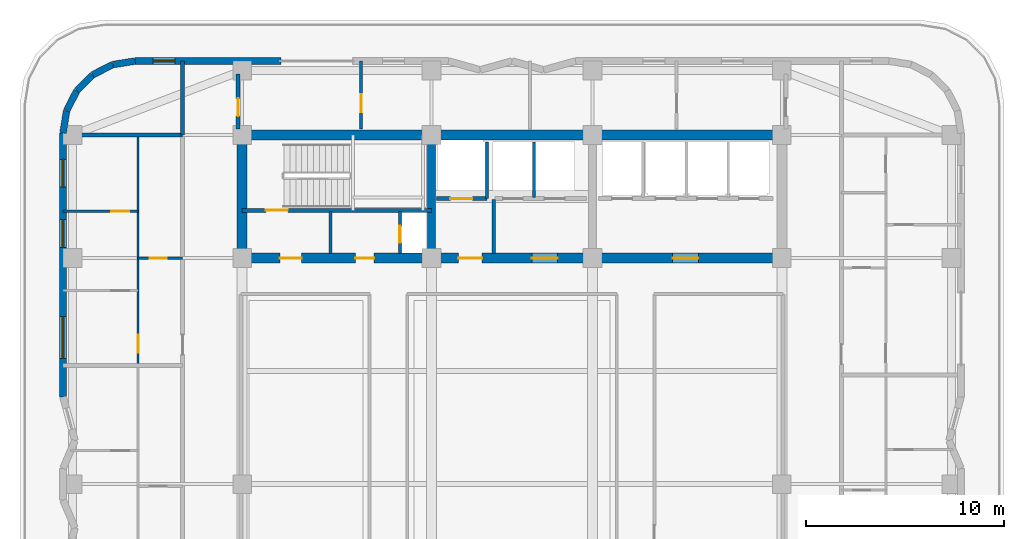
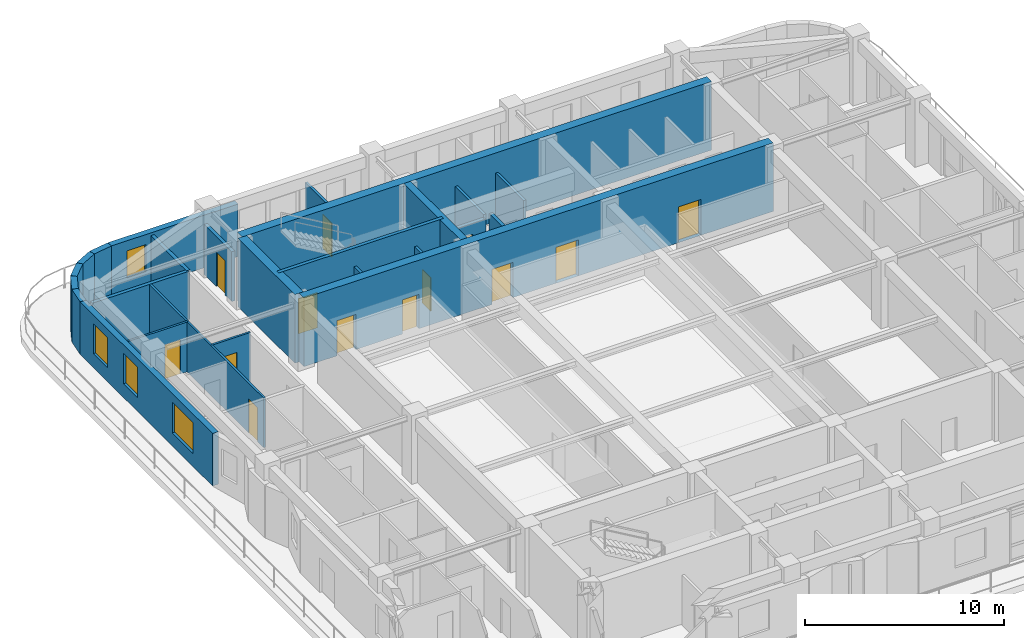
# One storey, part 9 of 14: 25 walls, 13 doors, 4 windows, 17 openings.
"""IFC4 building model written with IfcOpenShell, lengths in metres."""

from ifc_helpers import new_model, si_unit, direction, frame, frame_2d, origin, place, context, subcontext, project, spatial, rectangle, extrude, material, layer, layer_set, type_object, element, fill, save


model = new_model("IFC4")

# Units and contexts
model_context = context("Model", 3, precision=1e-05, world=origin(), true_north=direction((0.0, 1.0)))
body_context = subcontext(model_context, "Body", "Model", "MODEL_VIEW")
ifc_project = project(units=[si_unit("LENGTHUNIT", "METRE"), si_unit("AREAUNIT", "SQUARE_METRE"), si_unit("VOLUMEUNIT", "CUBIC_METRE"), si_unit("PLANEANGLEUNIT", "RADIAN"), si_unit("MASSUNIT", "GRAM", prefix="KILO")], contexts=[model_context])

# Site, building, storey
site_placement = place(None, origin())
site = spatial("IfcSite", under=ifc_project, at=site_placement, CompositionType="ELEMENT")
building_placement = place(site_placement, origin())
building = spatial("IfcBuilding", under=site, at=building_placement, Name="Svetorya Sky Lyceum", CompositionType="ELEMENT")
storey_placement = place(building_placement, frame((0.0, 0.0, 143.60009765625)))
storey = spatial("IfcBuildingStorey", under=building, at=storey_placement, Name="L35", CompositionType="ELEMENT", Elevation=143.60009765625)

# Walls
ifc_material_1 = material(Name="Concrete C40/50", Category="concrete")
ifc_layer_1 = layer(ifc_material_1, 0.39990234375)
ifc_layer_set_1 = layer_set([ifc_layer_1], Name="Concrete C40/50")
wall_type_1 = type_object("IfcWallType", Name="WL-CORE-400", PredefinedType="SHEAR", material=ifc_layer_set_1)
wall_1_placement = place(storey_placement, frame((35.14990234375, 39.85009765625, 0.0), z_axis=(0.0, 0.0, 1.0), x_axis=(0.0, 1.0, 0.0)))
element("IfcWall", 1, at=wall_1_placement, inside=storey, type_object=wall_type_1, Name="L35 NC Internal Shear Web WEB1", PredefinedType="SHEAR", context=body_context, shape_type="SweptSolid", body=[
    extrude(rectangle(XDim=5.699951171875, YDim=0.39990234375, at=frame_2d((2.85009765625, 0.0))), origin(), (0.0, 0.0, 1.0), 4.199951171875),
])
ifc_material_2 = material(Name="Concrete C50/60", Category="concrete")
ifc_layer_2 = layer(ifc_material_2, 0.5)
ifc_layer_set_2 = layer_set([ifc_layer_2], Name="Concrete C50/60")
wall_type_2 = type_object("IfcWallType", Name="WL-CORE-500", PredefinedType="SHEAR", material=ifc_layer_set_2)
wall_2_placement = place(storey_placement, frame((25.60009765625, 45.800048828125, 0.0), z_axis=(0.0, 0.0, 1.0), x_axis=(1.0, 0.0, 0.0)))
element("IfcWall", 2, at=wall_2_placement, inside=storey, type_object=wall_type_2, Name="L35 NC Outer Core Shear Wall", PredefinedType="SHEAR", context=body_context, shape_type="SweptSolid", body=[
    extrude(rectangle(XDim=27.199951171875, YDim=0.5, at=frame_2d((13.60009765625, 0.0))), origin(), (0.0, 0.0, 1.0), 4.199951171875),
])
wall_3_placement = place(storey_placement, frame((25.60009765625, 39.85009765625, 0.0), z_axis=(0.0, 0.0, 1.0), x_axis=(0.0, 1.0, 0.0)))
element("IfcWall", 3, at=wall_3_placement, inside=storey, type_object=wall_type_2, Name="L35 NC West Core Shear Wall", PredefinedType="SHEAR", context=body_context, shape_type="SweptSolid", body=[
    extrude(rectangle(XDim=5.699951171875, YDim=0.5, at=frame_2d((2.85009765625, 0.0))), origin(), (0.0, 0.0, 1.0), 4.199951171875),
])

# Wall, openings, doors
wall_4_placement = place(storey_placement, frame((52.800048828125, 39.60009765625, 0.0), z_axis=(0.0, 0.0, 1.0), x_axis=(-1.0, 0.0, 0.0)))
wall_4 = element("IfcWall", 4, at=wall_4_placement, inside=storey, type_object=wall_type_2, Name="L35 NC Inner Core Shear Wall", PredefinedType="SHEAR", context=body_context, shape_type="SweptSolid", body=[
    extrude(rectangle(XDim=27.199951171875, YDim=0.5, at=frame_2d((13.60009765625, 0.0))), origin(), (0.0, 0.0, 1.0), 4.199951171875),
])
opening_1_placement = place(wall_4_placement, frame((24.199951171875, 0.0, 0.0)))
opening_1 = element("IfcOpeningElement", 5, at=opening_1_placement, cuts=wall_4, Name="Opening D-ST1", PredefinedType="OPENING", context=body_context, shape_type="SweptSolid", body=[
    extrude(rectangle(XDim=1.10009765625, YDim=2.14990234375, at=frame_2d((0.550048828125, 1.074951171875))), frame((0.0, 0.260009765625, 0.0), z_axis=(0.0, -1.0, 0.0), x_axis=(1.0, 0.0, 0.0)), (0.0, 0.0, 1.0), 0.52001953125),
])
opening_2_placement = place(wall_4_placement, frame((20.550048828125, 0.0, 0.0)))
opening_2 = element("IfcOpeningElement", 6, at=opening_2_placement, cuts=wall_4, Name="Opening D-CAC1", PredefinedType="OPENING", context=body_context, shape_type="SweptSolid", body=[
    extrude(rectangle(XDim=0.949951171875, YDim=2.10009765625, at=frame_2d((0.47509765625, 1.050048828125))), frame((0.0, 0.260009765625, 0.0), z_axis=(0.0, -1.0, 0.0), x_axis=(1.0, 0.0, 0.0)), (0.0, 0.0, 1.0), 0.52001953125),
])
opening_3_placement = place(wall_4_placement, frame((15.10009765625, 0.0, 0.0)))
opening_3 = element("IfcOpeningElement", 7, at=opening_3_placement, cuts=wall_4, Name="Opening D-FL1", PredefinedType="OPENING", context=body_context, shape_type="SweptSolid", body=[
    extrude(rectangle(XDim=1.199951171875, YDim=2.14990234375, at=frame_2d((0.60009765625, 1.074951171875))), frame((0.0, 0.260009765625, 0.0), z_axis=(0.0, -1.0, 0.0), x_axis=(1.0, 0.0, 0.0)), (0.0, 0.0, 1.0), 0.52001953125),
])
opening_4_placement = place(wall_4_placement, frame((11.300048828125, 0.0, 0.0)))
opening_4 = element("IfcOpeningElement", 8, at=opening_4_placement, cuts=wall_4, Name="Opening D-LB1", PredefinedType="OPENING", context=body_context, shape_type="SweptSolid", body=[
    extrude(rectangle(XDim=1.300048828125, YDim=2.199951171875, at=frame_2d((0.64990234375, 1.10009765625))), frame((0.0, 0.260009765625, 0.0), z_axis=(0.0, -1.0, 0.0), x_axis=(1.0, 0.0, 0.0)), (0.0, 0.0, 1.0), 0.52001953125),
])
opening_5_placement = place(wall_4_placement, frame((4.199951171875, 0.0, 0.0)))
opening_5 = element("IfcOpeningElement", 9, at=opening_5_placement, cuts=wall_4, Name="Opening D-LB1", PredefinedType="OPENING", context=body_context, shape_type="SweptSolid", body=[
    extrude(rectangle(XDim=1.300048828125, YDim=2.199951171875, at=frame_2d((0.64990234375, 1.10009765625))), frame((0.0, 0.260009765625, 0.0), z_axis=(0.0, -1.0, 0.0), x_axis=(1.0, 0.0, 0.0)), (0.0, 0.0, 1.0), 0.52001953125),
])
ifc_material_3 = material(Name="Fire-rated galvanized steel core accessible WC door", Category="steel")
door_type_1 = type_object("IfcDoorType", Name="DR-CACC-950", OperationType="SINGLE_SWING_LEFT", PredefinedType="DOOR", material=ifc_material_3)
door_1_placement = place(opening_2_placement, origin())
door_1 = element("IfcDoor", 10, at=door_1_placement, inside=storey, type_object=door_type_1, Name="L35 North Core Accessible WC Door", OperationType="SINGLE_SWING_RIGHT", OverallHeight=2.10009765625, OverallWidth=0.949951171875, PredefinedType="DOOR", context=body_context, shape_type="SweptSolid", body=[
    extrude(rectangle(XDim=0.949951171875, YDim=2.10009765625, at=frame_2d((0.47509765625, 1.050048828125))), frame((0.0, 0.02490234375, 0.0), z_axis=(0.0, -1.0, 0.0), x_axis=(1.0, 0.0, 0.0)), (0.0, 0.0, 1.0), 0.050048828125),
])
fill(opening_2, door_1)
ifc_material_4 = material(Name="Powder-coated insulated galvanized stair fire door")
door_type_2 = type_object("IfcDoorType", Name="DR-FIRE-1100", OperationType="SINGLE_SWING_LEFT", PredefinedType="DOOR", material=ifc_material_4)
door_2_placement = place(opening_1_placement, origin())
door_2 = element("IfcDoor", 11, at=door_2_placement, inside=storey, type_object=door_type_2, Name="L35 North Stair Airlock Door", OperationType="SINGLE_SWING_LEFT", OverallHeight=2.14990234375, OverallWidth=1.10009765625, PredefinedType="DOOR", context=body_context, shape_type="SweptSolid", body=[
    extrude(rectangle(XDim=1.10009765625, YDim=2.14990234375, at=frame_2d((0.550048828125, 1.074951171875))), frame((0.0, 0.02490234375, 0.0), z_axis=(0.0, -1.0, 0.0), x_axis=(1.0, 0.0, 0.0)), (0.0, 0.0, 1.0), 0.050048828125),
])
fill(opening_1, door_2)
ifc_material_5 = material(Name="Powder-coated insulated galvanized fire door")
door_type_3 = type_object("IfcDoorType", Name="DR-FIRE-1200", OperationType="SINGLE_SWING_LEFT", PredefinedType="DOOR", material=ifc_material_5)
door_3_placement = place(opening_3_placement, origin())
door_3 = element("IfcDoor", 12, at=door_3_placement, inside=storey, type_object=door_type_3, Name="L35 North Firefighting Lift Lobby Door", OperationType="SINGLE_SWING_RIGHT", OverallHeight=2.14990234375, OverallWidth=1.199951171875, PredefinedType="DOOR", context=body_context, shape_type="SweptSolid", body=[
    extrude(rectangle(XDim=1.199951171875, YDim=2.14990234375, at=frame_2d((0.60009765625, 1.074951171875))), frame((0.0, 0.02490234375, 0.0), z_axis=(0.0, -1.0, 0.0), x_axis=(1.0, 0.0, 0.0)), (0.0, 0.0, 1.0), 0.050048828125),
])
fill(opening_3, door_3)
ifc_material_6 = material(Name="Glazed fire-rated aluminium lobby door", Category="aluminium")
door_type_4 = type_object("IfcDoorType", Name="DR-LOB-1300", OperationType="SINGLE_SWING_LEFT", PredefinedType="DOOR", material=ifc_material_6)
door_4_placement = place(opening_4_placement, origin())
door_4 = element("IfcDoor", 13, at=door_4_placement, inside=storey, type_object=door_type_4, Name="L35 Mid-Rise Lift Lobby West Door", OperationType="SINGLE_SWING_LEFT", OverallHeight=2.199951171875, OverallWidth=1.300048828125, PredefinedType="DOOR", context=body_context, shape_type="SweptSolid", body=[
    extrude(rectangle(XDim=1.300048828125, YDim=2.199951171875, at=frame_2d((0.64990234375, 1.10009765625))), frame((0.0, 0.02490234375, 0.0), z_axis=(0.0, -1.0, 0.0), x_axis=(1.0, 0.0, 0.0)), (0.0, 0.0, 1.0), 0.050048828125),
])
fill(opening_4, door_4)
door_5_placement = place(opening_5_placement, origin())
door_5 = element("IfcDoor", 14, at=door_5_placement, inside=storey, type_object=door_type_4, Name="L35 North Passenger Lift Lobby Door", OperationType="SINGLE_SWING_LEFT", OverallHeight=2.199951171875, OverallWidth=1.300048828125, PredefinedType="DOOR", context=body_context, shape_type="SweptSolid", body=[
    extrude(rectangle(XDim=1.300048828125, YDim=2.199951171875, at=frame_2d((0.64990234375, 1.10009765625))), frame((0.0, 0.02490234375, 0.0), z_axis=(0.0, -1.0, 0.0), x_axis=(1.0, 0.0, 0.0)), (0.0, 0.0, 1.0), 0.050048828125),
])
fill(opening_5, door_5)

# Wall, opening, window
ifc_material_7 = material(Name="Putilovo limestone rainscreen on autoclaved cellular masonry", Category="masonry")
ifc_layer_3 = layer(ifc_material_7, 0.340087890625)
ifc_layer_set_3 = layer_set([ifc_layer_3], Name="Putilovo limestone rainscreen on autoclaved cellular masonry")
wall_type_3 = type_object("IfcWallType", Name="WL-EXT-340", PredefinedType="SOLIDWALL", material=ifc_layer_set_3)
wall_5_placement = place(storey_placement, frame((27.550048828125, 49.530029296875, 0.0), z_axis=(0.0, 0.0, 1.0), x_axis=(-1.0, 0.0, 0.0)))
wall_5 = element("IfcWall", 15, at=wall_5_placement, inside=storey, type_object=wall_type_3, Name="L35 Limestone Exterior Wall 34B", PredefinedType="SOLIDWALL", context=body_context, shape_type="SweptSolid", body=[
    extrude(rectangle(XDim=7.35009765625, YDim=0.340087890625, at=frame_2d((3.675048828125, 0.0))), origin(), (0.0, 0.0, 1.0), 3.219970703125),
])
opening_6_placement = place(wall_5_placement, frame((5.33740234375, 0.0, 0.949951171875)))
opening_6 = element("IfcOpeningElement", 16, at=opening_6_placement, cuts=wall_5, Name="Opening W-R3", PredefinedType="OPENING", context=body_context, shape_type="SweptSolid", body=[
    extrude(rectangle(XDim=1.10009765625, YDim=1.64990234375, at=frame_2d((0.550048828125, 0.824951171875))), frame((0.0, 0.179931640625, 0.0), z_axis=(0.0, -1.0, 0.0), x_axis=(1.0, 0.0, 0.0)), (0.0, 0.0, 1.0), 0.360107421875),
])
ifc_material_8 = material(Name="Thermally broken aluminium frame with triple low-E glazing", Category="aluminium")
window_type_1 = type_object("IfcWindowType", Name="WN-RES-110", PartitioningType="SINGLE_PANEL", PredefinedType="WINDOW", material=ifc_material_8)
window_1_placement = place(opening_6_placement, origin())
window_1 = element("IfcWindow", 17, at=window_1_placement, inside=storey, type_object=window_type_1, Name="L35 Facade Window W-R3.34B.1", OverallHeight=1.64990234375, OverallWidth=1.10009765625, PartitioningType="SINGLE_PANEL", PredefinedType="WINDOW", context=body_context, shape_type="SweptSolid", body=[
    extrude(rectangle(XDim=1.10009765625, YDim=1.64990234375, at=frame_2d((0.550048828125, 0.824951171875))), frame((0.0, 0.030029296875, 0.0), z_axis=(0.0, -1.0, 0.0), x_axis=(1.0, 0.0, 0.0)), (0.0, 0.0, 1.0), 0.06005859375),
])
fill(opening_6, window_1)

# Walls
wall_6_placement = place(storey_placement, frame((20.199951171875, 49.530029296875, 0.0), z_axis=(0.0, 0.0, 1.0), x_axis=(-0.987675651954, -0.156514556949, 0.0)))
element("IfcWall", 18, at=wall_6_placement, inside=storey, type_object=wall_type_3, Name="L35 Limestone Exterior Wall 35M", PredefinedType="SOLIDWALL", context=body_context, shape_type="SweptSolid", body=[
    extrude(rectangle(XDim=1.135498046875, YDim=0.340087890625, at=frame_2d((0.56787109375, 0.0))), origin(), (0.0, 0.0, 1.0), 3.219970703125),
])
for number, where, z_axis, x_axis, name in (
    (19, (19.078369140625, 49.352294921875, 0.0), (0.0, 0.0, 1.0), (-0.891005044957, -0.453993402883, 0.0), "L35 Limestone Exterior Wall 36M"),
    (20, (18.06640625, 48.836669921875, 0.0), (0.0, 0.0, 1.0), (-0.707214252388, -0.706999293649, 0.0), "L35 Limestone Exterior Wall 37M"),
    (21, (17.26318359375, 48.03369140625, 0.0), (0.0, 0.0, 1.0), (-0.453822724105, -0.891091990249, 0.0), "L35 Limestone Exterior Wall 38M"),
    (22, (16.747802734375, 47.021728515625, 0.0), (0.0, 0.0, 1.0), (-0.156481329164, -0.987680916907, 0.0), "L35 Limestone Exterior Wall 39M"),
):
    element("IfcWall", number, at=place(storey_placement, frame(where, z_axis=z_axis, x_axis=x_axis)), inside=storey, type_object=wall_type_3, Name=name, PredefinedType="SOLIDWALL", context=body_context, shape_type="SweptSolid", body=[
        extrude(rectangle(XDim=1.1357421875, YDim=0.340087890625, at=frame_2d((0.56787109375, 0.0))), origin(), (0.0, 0.0, 1.0), 3.219970703125),
    ])

# Wall, openings, windows
wall_7_placement = place(storey_placement, frame((16.570068359375, 45.89990234375, 0.0), z_axis=(0.0, 0.0, 1.0), x_axis=(0.0, -1.0, 0.0)))
wall_7 = element("IfcWall", 23, at=wall_7_placement, inside=storey, type_object=wall_type_3, Name="L35 Limestone Exterior Wall 40M", PredefinedType="SOLIDWALL", context=body_context, shape_type="SweptSolid", body=[
    extrude(rectangle(XDim=13.2998046875, YDim=0.340087890625, at=frame_2d((6.64990234375, 0.0))), origin(), (0.0, 0.0, 1.0), 3.219970703125),
])
opening_7_placement = place(wall_7_placement, frame((1.320068359375, 0.0, 0.85009765625)))
opening_7 = element("IfcOpeningElement", 24, at=opening_7_placement, cuts=wall_7, Name="Opening W-R2", PredefinedType="OPENING", context=body_context, shape_type="SweptSolid", body=[
    extrude(rectangle(XDim=1.39990234375, YDim=1.85009765625, at=frame_2d((0.699951171875, 0.925048828125))), frame((0.0, 0.179931640625, 0.0), z_axis=(0.0, -1.0, 0.0), x_axis=(1.0, 0.0, 0.0)), (0.0, 0.0, 1.0), 0.360107421875),
])
opening_8_placement = place(wall_7_placement, frame((4.360107421875, 0.0, 0.85009765625)))
opening_8 = element("IfcOpeningElement", 25, at=opening_8_placement, cuts=wall_7, Name="Opening W-R2", PredefinedType="OPENING", context=body_context, shape_type="SweptSolid", body=[
    extrude(rectangle(XDim=1.39990234375, YDim=1.85009765625, at=frame_2d((0.699951171875, 0.925048828125))), frame((0.0, 0.179931640625, 0.0), z_axis=(0.0, -1.0, 0.0), x_axis=(1.0, 0.0, 0.0)), (0.0, 0.0, 1.0), 0.360107421875),
])
opening_9_placement = place(wall_7_placement, frame((9.25, 0.0, 0.800048828125)))
opening_9 = element("IfcOpeningElement", 26, at=opening_9_placement, cuts=wall_7, Name="Opening W-R0", PredefinedType="OPENING", context=body_context, shape_type="SweptSolid", body=[
    extrude(rectangle(XDim=2.10009765625, YDim=1.89990234375, at=frame_2d((1.050048828125, 0.949951171875))), frame((0.0, 0.179931640625, 0.0), z_axis=(0.0, -1.0, 0.0), x_axis=(1.0, 0.0, 0.0)), (0.0, 0.0, 1.0), 0.360107421875),
])
window_type_2 = type_object("IfcWindowType", Name="WN-RES-140", PartitioningType="SINGLE_PANEL", PredefinedType="WINDOW", material=ifc_material_8)
window_2_placement = place(opening_7_placement, origin())
window_2 = element("IfcWindow", 27, at=window_2_placement, inside=storey, type_object=window_type_2, Name="L35 Facade Window W-R2.40M.3", OverallHeight=1.85009765625, OverallWidth=1.39990234375, PartitioningType="SINGLE_PANEL", PredefinedType="WINDOW", context=body_context, shape_type="SweptSolid", body=[
    extrude(rectangle(XDim=1.39990234375, YDim=1.85009765625, at=frame_2d((0.699951171875, 0.925048828125))), frame((0.0, 0.030029296875, 0.0), z_axis=(0.0, -1.0, 0.0), x_axis=(1.0, 0.0, 0.0)), (0.0, 0.0, 1.0), 0.06005859375),
])
fill(opening_7, window_2)
window_3_placement = place(opening_8_placement, origin())
window_3 = element("IfcWindow", 28, at=window_3_placement, inside=storey, type_object=window_type_2, Name="L35 Facade Window W-R2.40M.2", OverallHeight=1.85009765625, OverallWidth=1.39990234375, PartitioningType="SINGLE_PANEL", PredefinedType="WINDOW", context=body_context, shape_type="SweptSolid", body=[
    extrude(rectangle(XDim=1.39990234375, YDim=1.85009765625, at=frame_2d((0.699951171875, 0.925048828125))), frame((0.0, 0.030029296875, 0.0), z_axis=(0.0, -1.0, 0.0), x_axis=(1.0, 0.0, 0.0)), (0.0, 0.0, 1.0), 0.06005859375),
])
fill(opening_8, window_3)
window_type_3 = type_object("IfcWindowType", Name="WN-RES-210", PartitioningType="TRIPLE_PANEL_VERTICAL", PredefinedType="WINDOW", material=ifc_material_8)
window_4_placement = place(opening_9_placement, origin())
window_4 = element("IfcWindow", 29, at=window_4_placement, inside=storey, type_object=window_type_3, Name="L35 Facade Window W-R0.40M.1", OverallHeight=1.89990234375, OverallWidth=2.10009765625, PartitioningType="SINGLE_PANEL", PredefinedType="WINDOW", context=body_context, shape_type="SweptSolid", body=[
    extrude(rectangle(XDim=2.10009765625, YDim=1.89990234375, at=frame_2d((1.050048828125, 0.949951171875))), frame((0.0, 0.030029296875, 0.0), z_axis=(0.0, -1.0, 0.0), x_axis=(1.0, 0.0, 0.0)), (0.0, 0.0, 1.0), 0.06005859375),
])
fill(opening_9, window_4)

# Wall, opening, door
ifc_material_9 = material(Name="Twin-stud galvanized framing with double fireboard", Category="gypsum")
ifc_layer_4 = layer(ifc_material_9, 0.1201171875)
ifc_layer_set_4 = layer_set([ifc_layer_4], Name="Twin-stud galvanized framing with double fireboard")
wall_type_4 = type_object("IfcWallType", Name="WL-PART-120", PredefinedType="PARTITIONING", material=ifc_layer_set_4)
wall_8_placement = place(storey_placement, frame((20.35009765625, 39.583984375, 0.0), z_axis=(0.0, 0.0, 1.0), x_axis=(1.0, 0.0, 0.0)))
wall_8 = element("IfcWall", 30, at=wall_8_placement, inside=storey, type_object=wall_type_4, Name="L35 Interior Partition W3-WH1", PredefinedType="PARTITIONING", context=body_context, shape_type="SweptSolid", body=[
    extrude(rectangle(XDim=2.25, YDim=0.1201171875, at=frame_2d((1.125, 0.0))), origin(), (0.0, 0.0, 1.0), 3.0498046875),
])
opening_10_placement = place(wall_8_placement, frame((0.60009765625, 0.0, 0.0)))
opening_10 = element("IfcOpeningElement", 31, at=opening_10_placement, cuts=wall_8, Name="Opening D-BT1", PredefinedType="OPENING", context=body_context, shape_type="SweptSolid", body=[
    extrude(rectangle(XDim=0.85009765625, YDim=2.10009765625, at=frame_2d((0.425048828125, 1.050048828125))), frame((0.0, 0.070068359375, 0.0), z_axis=(0.0, -1.0, 0.0), x_axis=(1.0, 0.0, 0.0)), (0.0, 0.0, 1.0), 0.14013671875),
])
ifc_material_10 = material(Name="Moisture-resistant laminate bathroom door")
door_type_5 = type_object("IfcDoorType", Name="DR-WET-850", OperationType="SINGLE_SWING_LEFT", PredefinedType="DOOR", material=ifc_material_10)
door_6_placement = place(opening_10_placement, origin())
door_6 = element("IfcDoor", 32, at=door_6_placement, inside=storey, type_object=door_type_5, Name="Apartment W3 Bathroom Door", OperationType="SINGLE_SWING_LEFT", OverallHeight=2.10009765625, OverallWidth=0.85009765625, PredefinedType="DOOR", context=body_context, shape_type="SweptSolid", body=[
    extrude(rectangle(XDim=0.85009765625, YDim=2.10009765625, at=frame_2d((0.425048828125, 1.050048828125))), frame((0.0, 0.02490234375, 0.0), z_axis=(0.0, -1.0, 0.0), x_axis=(1.0, 0.0, 0.0)), (0.0, 0.0, 1.0), 0.050048828125),
])
fill(opening_10, door_6)

wall_9_placement = place(storey_placement, frame((16.570068359375, 41.964111328125, 0.0), z_axis=(0.0, 0.0, 1.0), x_axis=(1.0, 0.0, 0.0)))
wall_9 = element("IfcWall", 33, at=wall_9_placement, inside=storey, type_object=wall_type_4, Name="L35 Interior Partition W3-WL2", PredefinedType="PARTITIONING", context=body_context, shape_type="SweptSolid", body=[
    extrude(rectangle(XDim=3.780029296875, YDim=0.1201171875, at=frame_2d((1.89013671875, 0.0))), origin(), (0.0, 0.0, 1.0), 3.0498046875),
])
opening_11_placement = place(wall_9_placement, frame((2.429931640625, 0.0, 0.0)))
opening_11 = element("IfcOpeningElement", 34, at=opening_11_placement, cuts=wall_9, Name="Opening D-RM1", PredefinedType="OPENING", context=body_context, shape_type="SweptSolid", body=[
    extrude(rectangle(XDim=0.89990234375, YDim=2.10009765625, at=frame_2d((0.449951171875, 1.050048828125))), frame((0.0, 0.070068359375, 0.0), z_axis=(0.0, -1.0, 0.0), x_axis=(1.0, 0.0, 0.0)), (0.0, 0.0, 1.0), 0.14013671875),
])
ifc_material_11 = material(Name="Lacquered birch veneer internal door")
door_type_6 = type_object("IfcDoorType", Name="DR-INT-900", OperationType="SINGLE_SWING_LEFT", PredefinedType="DOOR", material=ifc_material_11)
door_7_placement = place(opening_11_placement, origin())
door_7 = element("IfcDoor", 35, at=door_7_placement, inside=storey, type_object=door_type_6, Name="Apartment W3 Bedroom 2 Door", OperationType="SINGLE_SWING_RIGHT", OverallHeight=2.10009765625, OverallWidth=0.89990234375, PredefinedType="DOOR", context=body_context, shape_type="SweptSolid", body=[
    extrude(rectangle(XDim=0.89990234375, YDim=2.10009765625, at=frame_2d((0.449951171875, 1.050048828125))), frame((0.0, 0.02490234375, 0.0), z_axis=(0.0, -1.0, 0.0), x_axis=(1.0, 0.0, 0.0)), (0.0, 0.0, 1.0), 0.050048828125),
])
fill(opening_11, door_7)

wall_10_placement = place(storey_placement, frame((20.35009765625, 34.22412109375, 0.0), z_axis=(0.0, 0.0, 1.0), x_axis=(0.0, 1.0, 0.0)))
wall_10 = element("IfcWall", 36, at=wall_10_placement, inside=storey, type_object=wall_type_4, Name="L35 Interior Partition W3-WV", PredefinedType="PARTITIONING", context=body_context, shape_type="SweptSolid", body=[
    extrude(rectangle(XDim=11.535888671875, YDim=0.1201171875, at=frame_2d((5.76806640625, 0.0))), origin(), (0.0, 0.0, 1.0), 3.0498046875),
])
opening_12_placement = place(wall_10_placement, frame((0.610107421875, 0.0, 0.0)))
opening_12 = element("IfcOpeningElement", 37, at=opening_12_placement, cuts=wall_10, Name="Opening D-RM1", PredefinedType="OPENING", context=body_context, shape_type="SweptSolid", body=[
    extrude(rectangle(XDim=0.89990234375, YDim=2.10009765625, at=frame_2d((0.449951171875, 1.050048828125))), frame((0.0, 0.070068359375, 0.0), z_axis=(0.0, -1.0, 0.0), x_axis=(1.0, 0.0, 0.0)), (0.0, 0.0, 1.0), 0.14013671875),
])
door_8_placement = place(opening_12_placement, origin())
door_8 = element("IfcDoor", 38, at=door_8_placement, inside=storey, type_object=door_type_6, Name="Apartment W3 Living Door", OperationType="SINGLE_SWING_RIGHT", OverallHeight=2.10009765625, OverallWidth=0.89990234375, PredefinedType="DOOR", context=body_context, shape_type="SweptSolid", body=[
    extrude(rectangle(XDim=0.89990234375, YDim=2.10009765625, at=frame_2d((0.449951171875, 1.050048828125))), frame((0.0, 0.02490234375, 0.0), z_axis=(0.0, -1.0, 0.0), x_axis=(1.0, 0.0, 0.0)), (0.0, 0.0, 1.0), 0.050048828125),
])
fill(opening_12, door_8)

ifc_material_12 = material(Name="Autoclaved cellular masonry blockwork with acoustic render", Category="masonry")
ifc_layer_5 = layer(ifc_material_12, 0.14990234375)
ifc_layer_set_5 = layer_set([ifc_layer_5], Name="Autoclaved cellular masonry blockwork with acoustic render")
wall_type_5 = type_object("IfcWallType", Name="WL-PART-150", PredefinedType="PARTITIONING", material=ifc_layer_set_5)
wall_11_placement = place(storey_placement, frame((33.550048828125, 39.820068359375, 0.0), z_axis=(0.0, 0.0, 1.0), x_axis=(0.0, 1.0, 0.0)))
wall_11 = element("IfcWall", 39, at=wall_11_placement, inside=storey, type_object=wall_type_5, Name="L35 Interior Partition NC-RSRW", PredefinedType="PARTITIONING", context=body_context, shape_type="SweptSolid", body=[
    extrude(rectangle(XDim=2.1298828125, YDim=0.14990234375, at=frame_2d((1.06494140625, 0.0))), origin(), (0.0, 0.0, 1.0), 3.0498046875),
])
opening_13_placement = place(wall_11_placement, frame((0.550048828125, 0.0, 0.0)))
opening_13 = element("IfcOpeningElement", 40, at=opening_13_placement, cuts=wall_11, Name="Opening D-SH1", PredefinedType="OPENING", context=body_context, shape_type="SweptSolid", body=[
    extrude(rectangle(XDim=0.85009765625, YDim=2.050048828125, at=frame_2d((0.425048828125, 1.02490234375))), frame((0.0, 0.0849609375, 0.0), z_axis=(0.0, -1.0, 0.0), x_axis=(1.0, 0.0, 0.0)), (0.0, 0.0, 1.0), 0.169921875),
])
ifc_material_13 = material(Name="Insulated galvanized riser inspection fire door")
door_type_7 = type_object("IfcDoorType", Name="DR-SHFT-850", OperationType="SINGLE_SWING_LEFT", PredefinedType="TRAPDOOR", material=ifc_material_13)
door_9_placement = place(opening_13_placement, origin())
door_9 = element("IfcDoor", 41, at=door_9_placement, inside=storey, type_object=door_type_7, Name="L35 North Riser Access Door", OperationType="SINGLE_SWING_LEFT", OverallHeight=2.050048828125, OverallWidth=0.85009765625, PredefinedType="TRAPDOOR", context=body_context, shape_type="SweptSolid", body=[
    extrude(rectangle(XDim=0.85009765625, YDim=2.050048828125, at=frame_2d((0.425048828125, 1.02490234375))), frame((0.0, 0.02490234375, 0.0), z_axis=(0.0, -1.0, 0.0), x_axis=(1.0, 0.0, 0.0)), (0.0, 0.0, 1.0), 0.050048828125),
])
fill(opening_13, door_9)

# Walls
wall_12_placement = place(storey_placement, frame((30.050048828125, 39.820068359375, 0.0), z_axis=(0.0, 0.0, 1.0), x_axis=(0.0, 1.0, 0.0)))
element("IfcWall", 42, at=wall_12_placement, inside=storey, type_object=wall_type_5, Name="L35 Interior Partition NC-NWD1", PredefinedType="PARTITIONING", context=body_context, shape_type="SweptSolid", body=[
    extrude(rectangle(XDim=2.1298828125, YDim=0.14990234375, at=frame_2d((1.06494140625, 0.0))), origin(), (0.0, 0.0, 1.0), 3.0498046875),
])
wall_13_placement = place(storey_placement, frame((37.949951171875, 42.60009765625, 0.0), z_axis=(0.0, 0.0, 1.0), x_axis=(0.0, 1.0, 0.0)))
element("IfcWall", 43, at=wall_13_placement, inside=storey, type_object=wall_type_5, Name="L35 Interior Partition NC-FL1SIDE", PredefinedType="PARTITIONING", context=body_context, shape_type="SweptSolid", body=[
    extrude(rectangle(XDim=2.849853515625, YDim=0.14990234375, at=frame_2d((1.4248046875, 0.0))), origin(), (0.0, 0.0, 1.0), 3.0498046875),
])
wall_14_placement = place(storey_placement, frame((40.300048828125, 42.64990234375, 0.0), z_axis=(0.0, 0.0, 1.0), x_axis=(0.0, 1.0, 0.0)))
element("IfcWall", 44, at=wall_14_placement, inside=storey, type_object=wall_type_5, Name="L35 Interior Partition NC-PM-D1", PredefinedType="PARTITIONING", context=body_context, shape_type="SweptSolid", body=[
    extrude(rectangle(XDim=2.800048828125, YDim=0.14990234375, at=frame_2d((1.39990234375, 0.0))), origin(), (0.0, 0.0, 1.0), 3.0498046875),
])

# Wall, opening, door
wall_15_placement = place(storey_placement, frame((31.60009765625, 46.10009765625, 0.0), z_axis=(0.0, 0.0, 1.0), x_axis=(0.0, 1.0, 0.0)))
wall_15 = element("IfcWall", 45, at=wall_15_placement, inside=storey, type_object=wall_type_5, Name="L35 Interior Partition N4-D1", PredefinedType="PARTITIONING", context=body_context, shape_type="SweptSolid", body=[
    extrude(rectangle(XDim=3.429931640625, YDim=0.14990234375, at=frame_2d((1.71484375, 0.0))), origin(), (0.0, 0.0, 1.0), 3.0498046875),
])
opening_14_placement = place(wall_15_placement, frame((0.85009765625, 0.0, 0.0)))
opening_14 = element("IfcOpeningElement", 46, at=opening_14_placement, cuts=wall_15, Name="Opening D-RM1", PredefinedType="OPENING", context=body_context, shape_type="SweptSolid", body=[
    extrude(rectangle(XDim=0.89990234375, YDim=2.10009765625, at=frame_2d((0.449951171875, 1.050048828125))), frame((0.0, 0.0849609375, 0.0), z_axis=(0.0, -1.0, 0.0), x_axis=(1.0, 0.0, 0.0)), (0.0, 0.0, 1.0), 0.169921875),
])
door_10_placement = place(opening_14_placement, origin())
door_10 = element("IfcDoor", 47, at=door_10_placement, inside=storey, type_object=door_type_6, Name="L35 North Suite Door 1", OperationType="SINGLE_SWING_RIGHT", OverallHeight=2.10009765625, OverallWidth=0.89990234375, PredefinedType="DOOR", context=body_context, shape_type="SweptSolid", body=[
    extrude(rectangle(XDim=0.89990234375, YDim=2.10009765625, at=frame_2d((0.449951171875, 1.050048828125))), frame((0.0, 0.02490234375, 0.0), z_axis=(0.0, -1.0, 0.0), x_axis=(1.0, 0.0, 0.0)), (0.0, 0.0, 1.0), 0.050048828125),
])
fill(opening_14, door_10)

ifc_material_14 = material(Name="Autoclaved cellular masonry blockwork with gypsum plaster", Category="masonry")
ifc_layer_6 = layer(ifc_material_14, 0.199951171875)
ifc_layer_set_6 = layer_set([ifc_layer_6], Name="Autoclaved cellular masonry blockwork with gypsum plaster")
wall_type_6 = type_object("IfcWallType", Name="WL-PART-200", PredefinedType="PARTITIONING", material=ifc_layer_set_6)
wall_16_placement = place(storey_placement, frame((37.949951171875, 42.60009765625, 0.0), z_axis=(0.0, 0.0, 1.0), x_axis=(-1.0, 0.0, 0.0)))
wall_16 = element("IfcWall", 48, at=wall_16_placement, inside=storey, type_object=wall_type_6, Name="L35 Interior Partition NC-FL1W", PredefinedType="PARTITIONING", context=body_context, shape_type="SweptSolid", body=[
    extrude(rectangle(XDim=2.550048828125, YDim=0.199951171875, at=frame_2d((1.27490234375, 0.0))), origin(), (0.0, 0.0, 1.0), 2.81982421875),
])
opening_15_placement = place(wall_16_placement, frame((0.75, 0.0, 0.0)))
opening_15 = element("IfcOpeningElement", 49, at=opening_15_placement, cuts=wall_16, Name="Opening LD-FL", PredefinedType="OPENING", context=body_context, shape_type="SweptSolid", body=[
    extrude(rectangle(XDim=1.10009765625, YDim=2.14990234375, at=frame_2d((0.550048828125, 1.074951171875))), frame((0.0, 0.10986328125, 0.0), z_axis=(0.0, -1.0, 0.0), x_axis=(1.0, 0.0, 0.0)), (0.0, 0.0, 1.0), 0.219970703125),
])
ifc_material_15 = material(Name="Fire-rated stainless AISI 304 firefighting lift landing door")
door_type_8 = type_object("IfcDoorType", Name="DR-LIFT-1100", OperationType="SLIDING_TO_LEFT", PredefinedType="DOOR", material=ifc_material_15)
door_11_placement = place(opening_15_placement, origin())
door_11 = element("IfcDoor", 50, at=door_11_placement, inside=storey, type_object=door_type_8, Name="L35 Firefighting Lift FL1 Landing Door", OperationType="SLIDING_TO_LEFT", OverallHeight=2.14990234375, OverallWidth=1.10009765625, PredefinedType="DOOR", context=body_context, shape_type="SweptSolid", body=[
    extrude(rectangle(XDim=1.10009765625, YDim=2.14990234375, at=frame_2d((0.550048828125, 1.074951171875))), frame((0.0, 0.02490234375, 0.0), z_axis=(0.0, -1.0, 0.0), x_axis=(1.0, 0.0, 0.0)), (0.0, 0.0, 1.0), 0.050048828125),
])
fill(opening_15, door_11)

# Walls
wall_17_placement = place(storey_placement, frame((38.280029296875, 39.820068359375, 0.0), z_axis=(0.0, 0.0, 1.0), x_axis=(0.0, 1.0, 0.0)))
element("IfcWall", 51, at=wall_17_placement, inside=storey, type_object=wall_type_6, Name="L35 Interior Partition NC-FFLDIV", PredefinedType="PARTITIONING", context=body_context, shape_type="SweptSolid", body=[
    extrude(rectangle(XDim=2.72998046875, YDim=0.199951171875, at=frame_2d((1.364990234375, 0.0))), origin(), (0.0, 0.0, 1.0), 3.0498046875),
])
wall_18_placement = place(storey_placement, frame((16.989990234375, 45.800048828125, 0.0), z_axis=(0.0, 0.0, 1.0), x_axis=(1.0, 0.0, 0.0)))
element("IfcWall", 52, at=wall_18_placement, inside=storey, type_object=wall_type_6, Name="L35 Interior Partition W-CAP-N", PredefinedType="PARTITIONING", context=body_context, shape_type="SweptSolid", body=[
    extrude(rectangle(XDim=5.610107421875, YDim=0.199951171875, at=frame_2d((2.80517578125, 0.0))), origin(), (0.0, 0.0, 1.0), 3.0498046875),
])
wall_19_placement = place(storey_placement, frame((22.60009765625, 45.800048828125, 0.0), z_axis=(0.0, 0.0, 1.0), x_axis=(0.0, 1.0, 0.0)))
element("IfcWall", 53, at=wall_19_placement, inside=storey, type_object=wall_type_6, Name="L35 Interior Partition WC-NW-END", PredefinedType="PARTITIONING", context=body_context, shape_type="SweptSolid", body=[
    extrude(rectangle(XDim=3.72998046875, YDim=0.199951171875, at=frame_2d((1.864990234375, 0.0))), origin(), (0.0, 0.0, 1.0), 3.0498046875),
])

# Wall, opening, door
wall_20_placement = place(storey_placement, frame((25.39990234375, 46.10009765625, 0.0), z_axis=(0.0, 0.0, 1.0), x_axis=(0.0, 1.0, 0.0)))
wall_20 = element("IfcWall", 54, at=wall_20_placement, inside=storey, type_object=wall_type_6, Name="L35 Interior Partition N4-EW", PredefinedType="PARTITIONING", context=body_context, shape_type="SweptSolid", body=[
    extrude(rectangle(XDim=2.77978515625, YDim=0.199951171875, at=frame_2d((1.389892578125, 0.0))), origin(), (0.0, 0.0, 1.0), 3.0498046875),
])
opening_16_placement = place(wall_20_placement, frame((0.64990234375, 0.0, 0.0)))
opening_16 = element("IfcOpeningElement", 55, at=opening_16_placement, cuts=wall_20, Name="Opening D-RM1", PredefinedType="OPENING", context=body_context, shape_type="SweptSolid", body=[
    extrude(rectangle(XDim=0.89990234375, YDim=2.10009765625, at=frame_2d((0.449951171875, 1.050048828125))), frame((0.0, 0.10986328125, 0.0), z_axis=(0.0, -1.0, 0.0), x_axis=(1.0, 0.0, 0.0)), (0.0, 0.0, 1.0), 0.219970703125),
])
door_12_placement = place(opening_16_placement, origin())
door_12 = element("IfcDoor", 56, at=door_12_placement, inside=storey, type_object=door_type_6, Name="L35 NW Study Door", OperationType="SINGLE_SWING_RIGHT", OverallHeight=2.10009765625, OverallWidth=0.89990234375, PredefinedType="DOOR", context=body_context, shape_type="SweptSolid", body=[
    extrude(rectangle(XDim=0.89990234375, YDim=2.10009765625, at=frame_2d((0.449951171875, 1.050048828125))), frame((0.0, 0.02490234375, 0.0), z_axis=(0.0, -1.0, 0.0), x_axis=(1.0, 0.0, 0.0)), (0.0, 0.0, 1.0), 0.050048828125),
])
fill(opening_16, door_12)

ifc_layer_7 = layer(ifc_material_2, 0.199951171875)
ifc_layer_set_7 = layer_set([ifc_layer_7], Name="Concrete C50/60")
wall_type_7 = type_object("IfcWallType", Name="WL-SHW-200", PredefinedType="SHEAR", material=ifc_layer_set_7)
wall_21_placement = place(storey_placement, frame((35.14990234375, 42.0, 0.0), z_axis=(0.0, 0.0, 1.0), x_axis=(-1.0, 0.0, 0.0)))
wall_21 = element("IfcWall", 57, at=wall_21_placement, inside=storey, type_object=wall_type_7, Name="L35 Structural Stair Shaft Wall NC-STW", PredefinedType="SHEAR", context=body_context, shape_type="SweptSolid", body=[
    extrude(rectangle(XDim=9.5498046875, YDim=0.199951171875, at=frame_2d((4.77490234375, 0.0))), origin(), (0.0, 0.0, 1.0), 4.199951171875),
])
opening_17_placement = place(wall_21_placement, frame((7.25, 0.0, 0.0)))
opening_17 = element("IfcOpeningElement", 58, at=opening_17_placement, cuts=wall_21, Name="Opening D-ST1", PredefinedType="OPENING", context=body_context, shape_type="SweptSolid", body=[
    extrude(rectangle(XDim=1.10009765625, YDim=2.14990234375, at=frame_2d((0.550048828125, 1.074951171875))), frame((0.0, 0.10986328125, 0.0), z_axis=(0.0, -1.0, 0.0), x_axis=(1.0, 0.0, 0.0)), (0.0, 0.0, 1.0), 0.219970703125),
])
door_13_placement = place(opening_17_placement, origin())
door_13 = element("IfcDoor", 59, at=door_13_placement, inside=storey, type_object=door_type_2, Name="L35 Stair ST-N Vestibule Fire Door", OperationType="SINGLE_SWING_RIGHT", OverallHeight=2.14990234375, OverallWidth=1.10009765625, PredefinedType="DOOR", context=body_context, shape_type="SweptSolid", body=[
    extrude(rectangle(XDim=1.10009765625, YDim=2.14990234375, at=frame_2d((0.550048828125, 1.074951171875))), frame((0.0, 0.02490234375, 0.0), z_axis=(0.0, -1.0, 0.0), x_axis=(1.0, 0.0, 0.0)), (0.0, 0.0, 1.0), 0.050048828125),
])
fill(opening_17, door_13)

save(model, "model.ifc")
